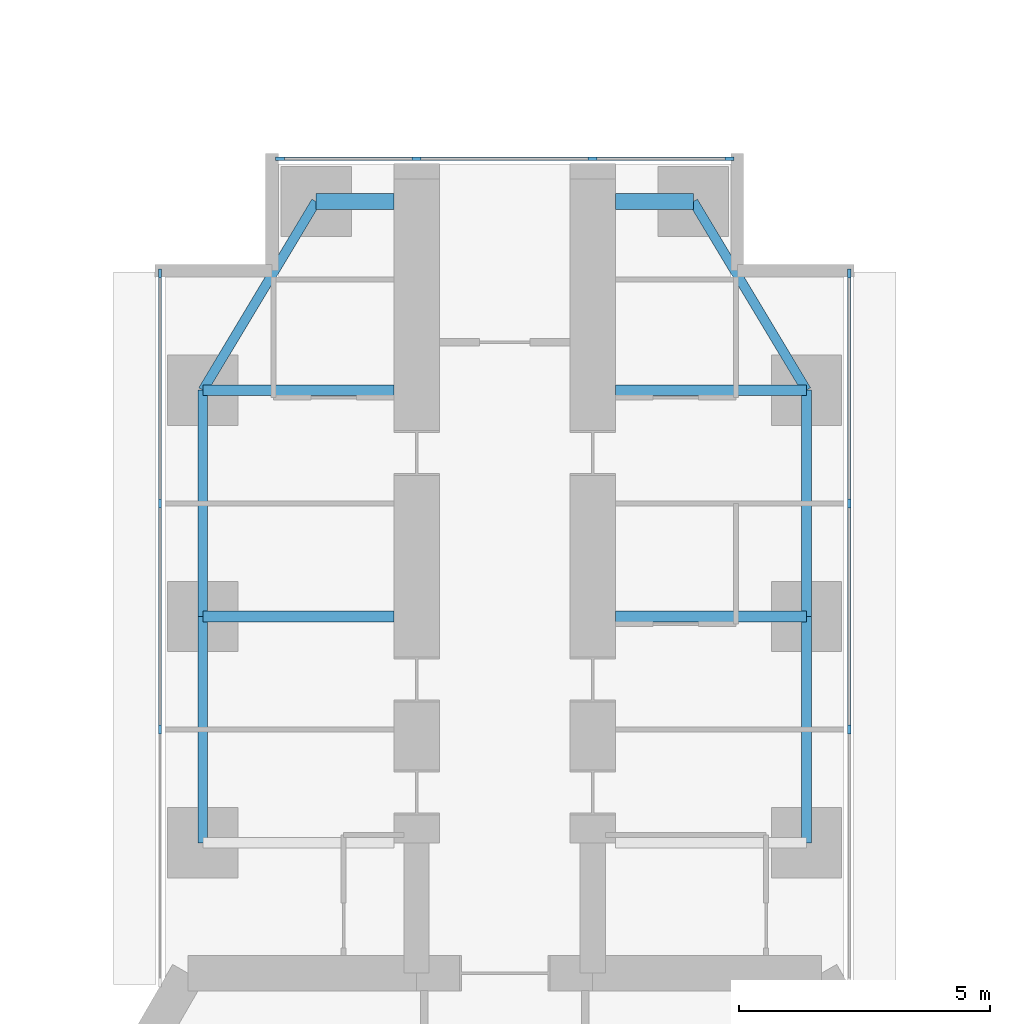
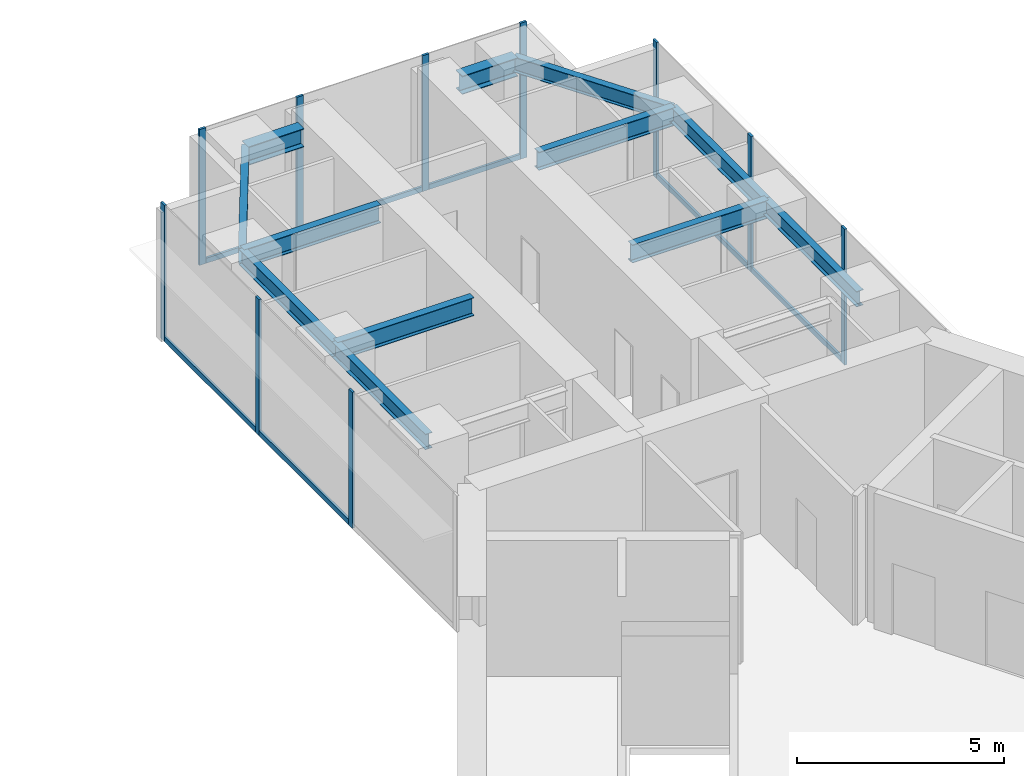
# One storey, part 13 of 25: 17 members, 12 beams, 3 elements without a shape of their own.
"""IFC4 building model written with IfcOpenShell, lengths in metres."""

import ifcopenshell
import ifcopenshell.guid

model = None  # the IFC model being written
_history = None  # IfcOwnerHistory: only IFC2X3 demands one
_inside = {}  # id of a spatial element -> (the spatial element, [elements in it])
_under = {}  # id of a project, library or spatial element -> (it, [spatial elements below it])
_declared = {}  # id of a project -> (the project, [libraries it declares])
_typed = {}  # id of a type object -> (the type object, [elements of that type])
_made_of = {}  # id of a material, layer set ... -> (it, [elements and type objects made of it])


def new_model(schema):
    """Start an empty IFC model of exactly this schema.

    Asked for "IFC4X3", IfcOpenShell would pick the latest addendum, in which some entities
    have other attributes; the version numbers below select the first issue.
    IFC2X3 requires an IfcOwnerHistory on every rooted entity: one is made here for all.
    """
    global model, _history
    if schema == "IFC4X3":
        model = ifcopenshell.file(schema_version=(4, 3, 0, 0))
    else:
        model = ifcopenshell.file(schema=schema)
    _inside.clear()
    _under.clear()
    _declared.clear()
    _typed.clear()
    _made_of.clear()
    _history = None
    if model.schema == "IFC2X3":
        org = make("IfcOrganization", Name="unknown")
        user = make(
            "IfcPersonAndOrganization",
            ThePerson=make("IfcPerson", FamilyName="unknown"),
            TheOrganization=org,
        )
        app = make(
            "IfcApplication",
            ApplicationDeveloper=org,
            Version="unknown",
            ApplicationFullName="unknown",
            ApplicationIdentifier="unknown",
        )
        _history = make(
            "IfcOwnerHistory",
            OwningUser=user,
            OwningApplication=app,
            ChangeAction="ADDED",
            CreationDate=0,
        )
    return model


def make(cls, **values):
    """One entity of the class cls with the attributes given. An attribute that is None is left unset."""
    return model.create_entity(
        cls, **{name: value for name, value in values.items() if value is not None}
    )


def rooted(cls, **values):
    """An entity with a GlobalId (a new one), such as an element, a storey or a relation."""
    return make(cls, GlobalId=ifcopenshell.guid.new(), OwnerHistory=_history, **values)


def si_unit(unit_type, name, prefix=None):
    """IfcSIUnit, for example si_unit("LENGTHUNIT", "METRE", prefix="MILLI")."""
    return make("IfcSIUnit", UnitType=unit_type, Prefix=prefix, Name=name)


def assignment(units):
    """IfcUnitAssignment: the units of a project."""
    return None if units is None else make("IfcUnitAssignment", Units=units)


def point(xyz):
    """IfcCartesianPoint."""
    return None if xyz is None else make("IfcCartesianPoint", Coordinates=xyz)


def direction(xyz):
    """IfcDirection."""
    return None if xyz is None else make("IfcDirection", DirectionRatios=xyz)


def frame(location, z_axis=None, x_axis=None):
    """IfcAxis2Placement3D, a coordinate frame: its origin and axes. An axis left out is left unset."""
    return make(
        "IfcAxis2Placement3D",
        Location=point(location),
        Axis=direction(z_axis),
        RefDirection=direction(x_axis),
    )


def frame_2d(location, x_axis=None):
    """IfcAxis2Placement2D, a coordinate frame in the plane: its origin and x axis."""
    return make(
        "IfcAxis2Placement2D", Location=point(location), RefDirection=direction(x_axis)
    )


def origin():
    """The frame at (0, 0, 0) with its axes left unset."""
    return frame((0.0, 0.0, 0.0))


def origin_2d():
    """The frame at (0, 0) in the plane with its x axis left unset."""
    return frame_2d((0.0, 0.0))


def place(relative_to, where):
    """IfcLocalPlacement: puts the frame where relative to a parent placement (None: the world)."""
    return make(
        "IfcLocalPlacement", PlacementRelTo=relative_to, RelativePlacement=where
    )


def context(
    kind, dimensions, precision=None, world=None, true_north=None, identifier=None
):
    """IfcGeometricRepresentationContext, for example the 3D "Model" context."""
    return make(
        "IfcGeometricRepresentationContext",
        ContextIdentifier=identifier,
        ContextType=kind,
        CoordinateSpaceDimension=dimensions,
        Precision=precision,
        WorldCoordinateSystem=world,
        TrueNorth=true_north,
    )


def subcontext(parent, identifier, kind, view, scale=None):
    """IfcGeometricRepresentationSubContext, for example "Body" below "Model"."""
    return make(
        "IfcGeometricRepresentationSubContext",
        ContextIdentifier=identifier,
        ContextType=kind,
        ParentContext=parent,
        TargetScale=scale,
        TargetView=view,
    )


def project(units=None, contexts=None):
    """IfcProject with its units and contexts."""
    return rooted(
        "IfcProject",
        Name="project",
        RepresentationContexts=contexts,
        UnitsInContext=assignment(units),
    )


def spatial(cls, under=None, at=None, **own):
    """A site, building, storey or space (cls), placed at a placement, below another one or the project."""
    s = rooted(cls, ObjectPlacement=at, **own)
    if under is not None:
        _under.setdefault(under.id(), (under, []))[1].append(s)
    return s


def profile(cls, at=None, kind="AREA", **sizes):
    """A parametric profile (cls). Its sizes go by their IFC names, for example OverallWidth=200.0."""
    return make(cls, ProfileType=kind, Position=at, **sizes)


def rectangle(**sizes):
    """IfcRectangleProfileDef."""
    return profile("IfcRectangleProfileDef", **sizes)


def i_section(**sizes):
    """IfcIShapeProfileDef."""
    return profile("IfcIShapeProfileDef", **sizes)


def extrude(swept, where, along, depth):
    """IfcExtrudedAreaSolid: the profile swept, set in the frame where, extruded along a direction by depth."""
    return make(
        "IfcExtrudedAreaSolid",
        SweptArea=swept,
        Position=where,
        ExtrudedDirection=direction(along),
        Depth=depth,
    )


def shape(context_of_items, identifier, shape_type, items):
    """IfcShapeRepresentation: the items that make up one representation, for example the "Body"."""
    return make(
        "IfcShapeRepresentation",
        ContextOfItems=context_of_items,
        RepresentationIdentifier=identifier,
        RepresentationType=shape_type,
        Items=items,
    )


def material(Name=None, Category=None):
    """IfcMaterial."""
    return make("IfcMaterial", Name=Name, Category=Category)


def material_profile(
    of_material, cross_section, Name=None, Category=None, Priority=None
):
    """IfcMaterialProfile: a cross section and its material."""
    return make(
        "IfcMaterialProfile",
        Name=Name,
        Material=of_material,
        Profile=cross_section,
        Priority=Priority,
        Category=Category,
    )


def profile_set(profiles, Name=None, composite=None):
    """IfcMaterialProfileSet."""
    return make(
        "IfcMaterialProfileSet",
        Name=Name,
        MaterialProfiles=profiles,
        CompositeProfile=composite,
    )


def made_of(thing, what):
    """Note that an element or type object is made of a material, layer set ...; save() writes the relation."""
    if what is not None:
        _made_of.setdefault(what.id(), (what, []))[1].append(thing)
    return thing


def type_object(cls, material=None, **own):
    """A type object (cls), such as IfcWallType, which elements share."""
    return made_of(rooted(cls, **own), material)


def element(
    cls,
    number,
    at=None,
    inside=None,
    cuts=None,
    type_object=None,
    material=None,
    context=None,
    identifier="Body",
    shape_type=None,
    held_by="IfcProductDefinitionShape",
    body=None,
    shapes=None,
    **own,
):
    """One element of the class cls, such as IfcWall. Its Tag is "e" and its number.

    at: its placement. inside: the storey or other place that contains it. cuts: it is an
    opening in that element (IfcRelVoidsElement). A single representation is given by context,
    identifier, shape_type and body (its items); several are given by shapes. held_by: the class
    of the entity that holds the representations. save() writes the other relations.
    """
    e = rooted(cls, Tag="e%d" % number, ObjectPlacement=at, **own)
    if body is not None:
        shapes = [shape(context, identifier, shape_type, body)]
    if shapes is not None:
        e.Representation = make(held_by, Representations=shapes)
    if inside is not None:
        _inside.setdefault(inside.id(), (inside, []))[1].append(e)
    if cuts is not None:
        rooted(
            "IfcRelVoidsElement", RelatingBuildingElement=cuts, RelatedOpeningElement=e
        )
    if type_object is not None:
        _typed.setdefault(type_object.id(), (type_object, []))[1].append(e)
    return made_of(e, material)


def aggregate(whole, parts):
    """IfcRelAggregates: a whole, such as a stair, and the parts it consists of."""
    return rooted("IfcRelAggregates", RelatingObject=whole, RelatedObjects=parts)


def save(model, path):
    """Write the relations noted so far, then the file.

    IfcRelAggregates (storeys below a building ...), IfcRelContainedInSpatialStructure (elements
    in a storey), IfcRelDefinesByType, IfcRelAssociatesMaterial and IfcRelDeclares: one each for
    every whole, place, type object, material and project.
    """
    for whole, parts in _under.values():
        aggregate(whole, parts)
    for where, things in _inside.values():
        rooted(
            "IfcRelContainedInSpatialStructure",
            RelatedElements=things,
            RelatingStructure=where,
        )
    for kind, things in _typed.values():
        rooted("IfcRelDefinesByType", RelatedObjects=things, RelatingType=kind)
    for what, things in _made_of.values():
        rooted("IfcRelAssociatesMaterial", RelatedObjects=things, RelatingMaterial=what)
    for by, libraries in _declared.values():
        rooted("IfcRelDeclares", RelatingContext=by, RelatedDefinitions=libraries)
    model.write(path)


model = new_model("IFC4")

# Units and contexts
model_context = context("Model", 3, precision=1e-05, world=origin(), true_north=direction((0.0, 1.0)))
body_context = subcontext(model_context, "Body", "Model", "MODEL_VIEW")
ifc_project = project(units=[si_unit("LENGTHUNIT", "METRE"), si_unit("AREAUNIT", "SQUARE_METRE"), si_unit("VOLUMEUNIT", "CUBIC_METRE"), si_unit("PLANEANGLEUNIT", "RADIAN"), si_unit("MASSUNIT", "GRAM", prefix="KILO")], contexts=[model_context])

# Site, building, storey
site_placement = place(None, origin())
site = spatial("IfcSite", under=ifc_project, at=site_placement, CompositionType="ELEMENT")
building_placement = place(site_placement, origin())
building = spatial("IfcBuilding", under=site, at=building_placement, Name="Upepo Twin Towers", CompositionType="ELEMENT")
storey_placement = place(building_placement, frame((0.0, 0.0, 76.5)))
storey = spatial("IfcBuildingStorey", under=building, at=storey_placement, Name="L18", CompositionType="ELEMENT", Elevation=76.5)

# Beams
ifc_material_1 = material(Name="Steel S355", Category="steel")
ifc_material_profile_1 = material_profile(ifc_material_1, i_section(OverallWidth=0.1904296875, OverallDepth=0.45703125, WebThickness=0.009033203125, FlangeThickness=0.014404296875, FilletRadius=0.01025390625, at=origin_2d()), Name="UB 457x191x74")
ifc_profile_set_1 = profile_set([ifc_material_profile_1], Name="Steel S355")
beam_type_1 = type_object("IfcBeamType", Name="Beam UB 457x191x74", PredefinedType="BEAM", material=ifc_profile_set_1)
for number, where, z_axis, x_axis, name in (
    (1, (52.5, -4.5, 3.571533203125), (0.0, 1.0, 0.0), (-1.0, 0.0, 0.0), "T2 edge beam AL 13.5-18.0"),
    (2, (52.5, 0.0, 3.571533203125), (0.0, 1.0, 0.0), (-1.0, 0.0, 0.0), "T2 edge beam AL 18.0-22.5"),
):
    element("IfcBeam", number, at=place(storey_placement, frame(where, z_axis=z_axis, x_axis=x_axis)), inside=storey, type_object=beam_type_1, Name=name, PredefinedType="BEAM", context=body_context, shape_type="SweptSolid", body=[
        extrude(i_section(OverallWidth=0.1904296875, OverallDepth=0.45703125, WebThickness=0.009033203125, FlangeThickness=0.014404296875, FilletRadius=0.01025390625, at=origin_2d()), origin(), (0.0, 0.0, 1.0), 4.5),
    ])
beam_1_placement = place(storey_placement, frame((52.5, 4.5, 3.571533203125), z_axis=(0.514495755428, 0.857492925713, 0.0), x_axis=(-0.857492925713, 0.514495755428, 0.0)))
element("IfcBeam", 3, at=beam_1_placement, inside=storey, type_object=beam_type_1, Name="T2 nose edge beam AL", PredefinedType="BEAM", context=body_context, shape_type="SweptSolid", body=[
    extrude(i_section(OverallWidth=0.1904296875, OverallDepth=0.45703125, WebThickness=0.009033203125, FlangeThickness=0.014404296875, FilletRadius=0.01025390625, at=origin_2d()), origin(), (0.0, 0.0, 1.0), 4.373291015625),
])
for number, where, z_axis, x_axis, name in (
    (4, (64.5, -4.5, 3.571533203125), (0.0, 1.0, 0.0), (-1.0, 0.0, 0.0), "T2 edge beam AR 13.5-18.0"),
    (5, (64.5, 0.0, 3.571533203125), (0.0, 1.0, 0.0), (-1.0, 0.0, 0.0), "T2 edge beam AR 18.0-22.5"),
):
    element("IfcBeam", number, at=place(storey_placement, frame(where, z_axis=z_axis, x_axis=x_axis)), inside=storey, type_object=beam_type_1, Name=name, PredefinedType="BEAM", context=body_context, shape_type="SweptSolid", body=[
        extrude(i_section(OverallWidth=0.1904296875, OverallDepth=0.45703125, WebThickness=0.009033203125, FlangeThickness=0.014404296875, FilletRadius=0.01025390625, at=origin_2d()), origin(), (0.0, 0.0, 1.0), 4.5),
    ])
beam_2_placement = place(storey_placement, frame((64.5, 4.5, 3.571533203125), z_axis=(-0.514495755428, 0.857492925713, 0.0), x_axis=(-0.857492925713, -0.514495755428, 0.0)))
element("IfcBeam", 6, at=beam_2_placement, inside=storey, type_object=beam_type_1, Name="T2 nose edge beam AR", PredefinedType="BEAM", context=body_context, shape_type="SweptSolid", body=[
    extrude(i_section(OverallWidth=0.1904296875, OverallDepth=0.45703125, WebThickness=0.009033203125, FlangeThickness=0.014404296875, FilletRadius=0.01025390625, at=origin_2d()), origin(), (0.0, 0.0, 1.0), 4.373291015625),
])
ifc_material_2 = material(Name="Steel S355", Category="steel")
ifc_material_profile_2 = material_profile(ifc_material_2, i_section(OverallWidth=0.209228515625, OverallDepth=0.533203125, WebThickness=0.010009765625, FlangeThickness=0.015625, FilletRadius=0.0126953125, at=origin_2d()), Name="UB 533x210x92")
ifc_profile_set_2 = profile_set([ifc_material_profile_2], Name="Steel S355")
beam_type_2 = type_object("IfcBeamType", Name="Beam UB 533x210x92", PredefinedType="BEAM", material=ifc_profile_set_2)
for number, where, z_axis, x_axis, name in (
    (7, (52.5, 0.0, 3.533447265625), (1.0, 0.0, 0.0), (0.0, 1.0, 0.0), "T2 girder AL at 18.0"),
    (8, (52.5, 4.5, 3.533447265625), (1.0, 0.0, 0.0), (0.0, 1.0, 0.0), "T2 girder AL at 22.5"),
    (9, (64.5, 0.0, 3.533447265625), (-1.0, 0.0, 0.0), (0.0, -1.0, 0.0), "T2 girder AR at 18.0"),
    (10, (64.5, 4.5, 3.533447265625), (-1.0, 0.0, 0.0), (0.0, -1.0, 0.0), "T2 girder AR at 22.5"),
):
    element("IfcBeam", number, at=place(storey_placement, frame(where, z_axis=z_axis, x_axis=x_axis)), inside=storey, type_object=beam_type_2, Name=name, PredefinedType="BEAM", context=body_context, shape_type="SweptSolid", body=[
        extrude(i_section(OverallWidth=0.209228515625, OverallDepth=0.533203125, WebThickness=0.010009765625, FlangeThickness=0.015625, FilletRadius=0.0126953125, at=origin_2d()), origin(), (0.0, 0.0, 1.0), 3.800048828125),
    ])
ifc_material_3 = material(Name="Steel S355", Category="steel")
ifc_material_profile_3 = material_profile(ifc_material_3, i_section(OverallWidth=0.31201171875, OverallDepth=0.54345703125, WebThickness=0.0126953125, FlangeThickness=0.020263671875, FilletRadius=0.0126953125, at=origin_2d()), Name="UB 533x312x150")
ifc_profile_set_3 = profile_set([ifc_material_profile_3], Name="Steel S355")
beam_type_3 = type_object("IfcBeamType", Name="Beam UB 533x312x150", PredefinedType="BEAM", material=ifc_profile_set_3)
for number, where, z_axis, x_axis, name in (
    (11, (54.75, 8.25, 3.5283203125), (1.0, 0.0, 0.0), (0.0, 1.0, 0.0), "T2 nose beam AL"),
    (12, (62.25, 8.25, 3.5283203125), (-1.0, 0.0, 0.0), (0.0, -1.0, 0.0), "T2 nose beam AR"),
):
    element("IfcBeam", number, at=place(storey_placement, frame(where, z_axis=z_axis, x_axis=x_axis)), inside=storey, type_object=beam_type_3, Name=name, PredefinedType="BEAM", context=body_context, shape_type="SweptSolid", body=[
        extrude(i_section(OverallWidth=0.31201171875, OverallDepth=0.54345703125, WebThickness=0.0126953125, FlangeThickness=0.020263671875, FilletRadius=0.0126953125, at=origin_2d()), origin(), (0.0, 0.0, 1.0), 1.550048828125),
    ])

# Curtain wall, members
ifc_material_4 = material(Name="Aluminium and fritted glass", Category="aluminium")
curtain_wall_type = type_object("IfcCurtainWallType", Name="Tower curtain wall TW1, fritted glass", PredefinedType="NOTDEFINED", material=ifc_material_4)
curtain_wall_1_placement = place(storey_placement, origin())
curtain_wall_1 = element("IfcCurtainWall", 13, at=curtain_wall_1_placement, inside=storey, type_object=curtain_wall_type, Name="T2 L18 wing A flank L curtain wall", PredefinedType="NOTDEFINED")
ifc_material_5 = material(Name="Aluminium mullion", Category="aluminium")
ifc_material_profile_4 = material_profile(ifc_material_5, rectangle(XDim=0.06494140625, YDim=0.179931640625, at=origin_2d()), Name="MULLION 65x180")
ifc_profile_set_4 = profile_set([ifc_material_profile_4], Name="Aluminium mullion")
member_type_1 = type_object("IfcMemberType", Name="Mullion 65x180 TW1", PredefinedType="MULLION", material=ifc_profile_set_4)
member_1_placement = place(storey_placement, frame((51.64990234375, -2.25, 0.0), z_axis=(0.0, 0.0, 1.0), x_axis=(-1.0, 0.0, 0.0)))
member_1 = element("IfcMember", 14, at=member_1_placement, type_object=member_type_1, Name="T2 L18 wing A flank L curtain wall mullion 2", PredefinedType="MULLION", context=body_context, shape_type="SweptSolid", body=[
    extrude(rectangle(XDim=0.06494140625, YDim=0.179931640625, at=origin_2d()), origin(), (0.0, 0.0, 1.0), 4.0),
])
member_2_placement = place(storey_placement, frame((51.64990234375, 2.25, 0.0), z_axis=(0.0, 0.0, 1.0), x_axis=(-1.0, 0.0, 0.0)))
member_2 = element("IfcMember", 15, at=member_2_placement, type_object=member_type_1, Name="T2 L18 wing A flank L curtain wall mullion 3", PredefinedType="MULLION", context=body_context, shape_type="SweptSolid", body=[
    extrude(rectangle(XDim=0.06494140625, YDim=0.179931640625, at=origin_2d()), origin(), (0.0, 0.0, 1.0), 4.0),
])
member_3_placement = place(storey_placement, frame((51.64990234375, 6.8173828125, 0.0), z_axis=(0.0, 0.0, 1.0), x_axis=(-1.0, 0.0, 0.0)))
member_3 = element("IfcMember", 16, at=member_3_placement, type_object=member_type_1, Name="T2 L18 wing A flank L curtain wall mullion 4", PredefinedType="MULLION", context=body_context, shape_type="SweptSolid", body=[
    extrude(rectangle(XDim=0.06494140625, YDim=0.179931640625, at=origin_2d()), origin(), (0.0, 0.0, 1.0), 4.0),
])

curtain_wall_2_placement = place(storey_placement, origin())
curtain_wall_2 = element("IfcCurtainWall", 17, at=curtain_wall_2_placement, inside=storey, type_object=curtain_wall_type, Name="T2 L18 wing A flank R curtain wall", PredefinedType="NOTDEFINED")
member_4_placement = place(storey_placement, frame((65.35009765625, 6.8173828125, 0.0), z_axis=(0.0, 0.0, 1.0), x_axis=(1.0, 0.0, 0.0)))
member_4 = element("IfcMember", 18, at=member_4_placement, type_object=member_type_1, Name="T2 L18 wing A flank R curtain wall mullion 1", PredefinedType="MULLION", context=body_context, shape_type="SweptSolid", body=[
    extrude(rectangle(XDim=0.06494140625, YDim=0.179931640625, at=origin_2d()), origin(), (0.0, 0.0, 1.0), 4.0),
])
member_5_placement = place(storey_placement, frame((65.35009765625, 2.25, 0.0), z_axis=(0.0, 0.0, 1.0), x_axis=(1.0, 0.0, 0.0)))
member_5 = element("IfcMember", 19, at=member_5_placement, type_object=member_type_1, Name="T2 L18 wing A flank R curtain wall mullion 2", PredefinedType="MULLION", context=body_context, shape_type="SweptSolid", body=[
    extrude(rectangle(XDim=0.06494140625, YDim=0.179931640625, at=origin_2d()), origin(), (0.0, 0.0, 1.0), 4.0),
])
member_6_placement = place(storey_placement, frame((65.35009765625, -2.25, 0.0), z_axis=(0.0, 0.0, 1.0), x_axis=(1.0, 0.0, 0.0)))
member_6 = element("IfcMember", 20, at=member_6_placement, type_object=member_type_1, Name="T2 L18 wing A flank R curtain wall mullion 3", PredefinedType="MULLION", context=body_context, shape_type="SweptSolid", body=[
    extrude(rectangle(XDim=0.06494140625, YDim=0.179931640625, at=origin_2d()), origin(), (0.0, 0.0, 1.0), 4.0),
])

curtain_wall_3_placement = place(storey_placement, origin())
curtain_wall_3 = element("IfcCurtainWall", 21, at=curtain_wall_3_placement, inside=storey, type_object=curtain_wall_type, Name="T2 L18 wing A nose curtain wall", PredefinedType="NOTDEFINED")
member_7_placement = place(storey_placement, frame((62.967529296875, 9.10009765625, 0.0), z_axis=(0.0, 0.0, 1.0), x_axis=(0.0, -1.0, 0.0)))
member_7 = element("IfcMember", 22, at=member_7_placement, type_object=member_type_1, Name="T2 L18 wing A nose curtain wall mullion 1", PredefinedType="MULLION", context=body_context, shape_type="SweptSolid", body=[
    extrude(rectangle(XDim=0.06494140625, YDim=0.179931640625, at=origin_2d()), origin(), (0.0, 0.0, 1.0), 4.0),
])
member_8_placement = place(storey_placement, frame((60.25, 9.10009765625, 0.0), z_axis=(0.0, 0.0, 1.0), x_axis=(0.0, -1.0, 0.0)))
member_8 = element("IfcMember", 23, at=member_8_placement, type_object=member_type_1, Name="T2 L18 wing A nose curtain wall mullion 2", PredefinedType="MULLION", context=body_context, shape_type="SweptSolid", body=[
    extrude(rectangle(XDim=0.06494140625, YDim=0.179931640625, at=origin_2d()), origin(), (0.0, 0.0, 1.0), 4.0),
])
member_9_placement = place(storey_placement, frame((56.75, 9.10009765625, 0.0), z_axis=(0.0, 0.0, 1.0), x_axis=(0.0, -1.0, 0.0)))
member_9 = element("IfcMember", 24, at=member_9_placement, type_object=member_type_1, Name="T2 L18 wing A nose curtain wall mullion 3", PredefinedType="MULLION", context=body_context, shape_type="SweptSolid", body=[
    extrude(rectangle(XDim=0.06494140625, YDim=0.179931640625, at=origin_2d()), origin(), (0.0, 0.0, 1.0), 4.0),
])
member_10_placement = place(storey_placement, frame((54.032470703125, 9.10009765625, 0.0), z_axis=(0.0, 0.0, 1.0), x_axis=(0.0, -1.0, 0.0)))
member_10 = element("IfcMember", 25, at=member_10_placement, type_object=member_type_1, Name="T2 L18 wing A nose curtain wall mullion 4", PredefinedType="MULLION", context=body_context, shape_type="SweptSolid", body=[
    extrude(rectangle(XDim=0.06494140625, YDim=0.179931640625, at=origin_2d()), origin(), (0.0, 0.0, 1.0), 4.0),
])

# Member
ifc_material_6 = material(Name="Aluminium transom", Category="aluminium")
ifc_material_profile_5 = material_profile(ifc_material_6, rectangle(XDim=0.06494140625, YDim=0.14990234375, at=origin_2d()), Name="TRANSOM 65x150")
ifc_profile_set_5 = profile_set([ifc_material_profile_5], Name="Aluminium transom")
member_type_2 = type_object("IfcMemberType", Name="Transom 65x150 TW1", PredefinedType="USERDEFINED", material=ifc_profile_set_5)
member_11_placement = place(storey_placement, frame((51.64990234375, -2.217529296875, 0.074951171875), z_axis=(0.0, 1.0, 0.0), x_axis=(-1.0, 0.0, 0.0)))
member_11 = element("IfcMember", 26, at=member_11_placement, type_object=member_type_2, Name="T2 L18 wing A flank L curtain wall transom 2", ObjectType="TRANSOM", PredefinedType="USERDEFINED", context=body_context, shape_type="SweptSolid", body=[
    extrude(rectangle(XDim=0.06494140625, YDim=0.14990234375, at=origin_2d()), origin(), (0.0, 0.0, 1.0), 4.43505859375),
])

member_12_placement = place(storey_placement, frame((51.64990234375, 2.282470703125, 0.074951171875), z_axis=(0.0, 1.0, 0.0), x_axis=(-1.0, 0.0, 0.0)))
member_12 = element("IfcMember", 27, at=member_12_placement, type_object=member_type_2, Name="T2 L18 wing A flank L curtain wall transom 3", ObjectType="TRANSOM", PredefinedType="USERDEFINED", context=body_context, shape_type="SweptSolid", body=[
    extrude(rectangle(XDim=0.06494140625, YDim=0.14990234375, at=origin_2d()), origin(), (0.0, 0.0, 1.0), 4.50244140625),
])

aggregate(curtain_wall_1, [member_1, member_2, member_3, member_11, member_12])

member_13_placement = place(storey_placement, frame((65.35009765625, 6.784912109375, 0.074951171875), z_axis=(0.0, -1.0, 0.0), x_axis=(1.0, 0.0, 0.0)))
member_13 = element("IfcMember", 28, at=member_13_placement, type_object=member_type_2, Name="T2 L18 wing A flank R curtain wall transom 1", ObjectType="TRANSOM", PredefinedType="USERDEFINED", context=body_context, shape_type="SweptSolid", body=[
    extrude(rectangle(XDim=0.06494140625, YDim=0.14990234375, at=origin_2d()), origin(), (0.0, 0.0, 1.0), 4.50244140625),
])

member_14_placement = place(storey_placement, frame((65.35009765625, 2.217529296875, 0.074951171875), z_axis=(0.0, -1.0, 0.0), x_axis=(1.0, 0.0, 0.0)))
member_14 = element("IfcMember", 29, at=member_14_placement, type_object=member_type_2, Name="T2 L18 wing A flank R curtain wall transom 2", ObjectType="TRANSOM", PredefinedType="USERDEFINED", context=body_context, shape_type="SweptSolid", body=[
    extrude(rectangle(XDim=0.06494140625, YDim=0.14990234375, at=origin_2d()), origin(), (0.0, 0.0, 1.0), 4.43505859375),
])

aggregate(curtain_wall_2, [member_4, member_5, member_6, member_13, member_14])

member_15_placement = place(storey_placement, frame((62.93505859375, 9.10009765625, 0.074951171875), z_axis=(-1.0, 0.0, 0.0), x_axis=(0.0, -1.0, 0.0)))
member_15 = element("IfcMember", 30, at=member_15_placement, type_object=member_type_2, Name="T2 L18 wing A nose curtain wall transom 1", ObjectType="TRANSOM", PredefinedType="USERDEFINED", context=body_context, shape_type="SweptSolid", body=[
    extrude(rectangle(XDim=0.06494140625, YDim=0.14990234375, at=origin_2d()), origin(), (0.0, 0.0, 1.0), 2.652587890625),
])

member_16_placement = place(storey_placement, frame((60.217529296875, 9.10009765625, 0.074951171875), z_axis=(-1.0, 0.0, 0.0), x_axis=(0.0, -1.0, 0.0)))
member_16 = element("IfcMember", 31, at=member_16_placement, type_object=member_type_2, Name="T2 L18 wing A nose curtain wall transom 2", ObjectType="TRANSOM", PredefinedType="USERDEFINED", context=body_context, shape_type="SweptSolid", body=[
    extrude(rectangle(XDim=0.06494140625, YDim=0.14990234375, at=origin_2d()), origin(), (0.0, 0.0, 1.0), 3.43505859375),
])

member_17_placement = place(storey_placement, frame((56.717529296875, 9.10009765625, 0.074951171875), z_axis=(-1.0, 0.0, 0.0), x_axis=(0.0, -1.0, 0.0)))
member_17 = element("IfcMember", 32, at=member_17_placement, type_object=member_type_2, Name="T2 L18 wing A nose curtain wall transom 3", ObjectType="TRANSOM", PredefinedType="USERDEFINED", context=body_context, shape_type="SweptSolid", body=[
    extrude(rectangle(XDim=0.06494140625, YDim=0.14990234375, at=origin_2d()), origin(), (0.0, 0.0, 1.0), 2.652587890625),
])

aggregate(curtain_wall_3, [member_7, member_8, member_9, member_10, member_15, member_16, member_17])

save(model, "model.ifc")
